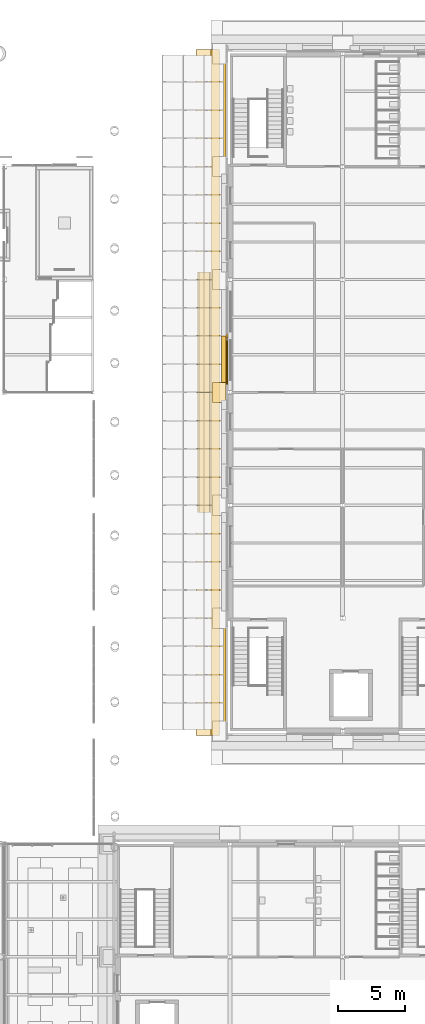
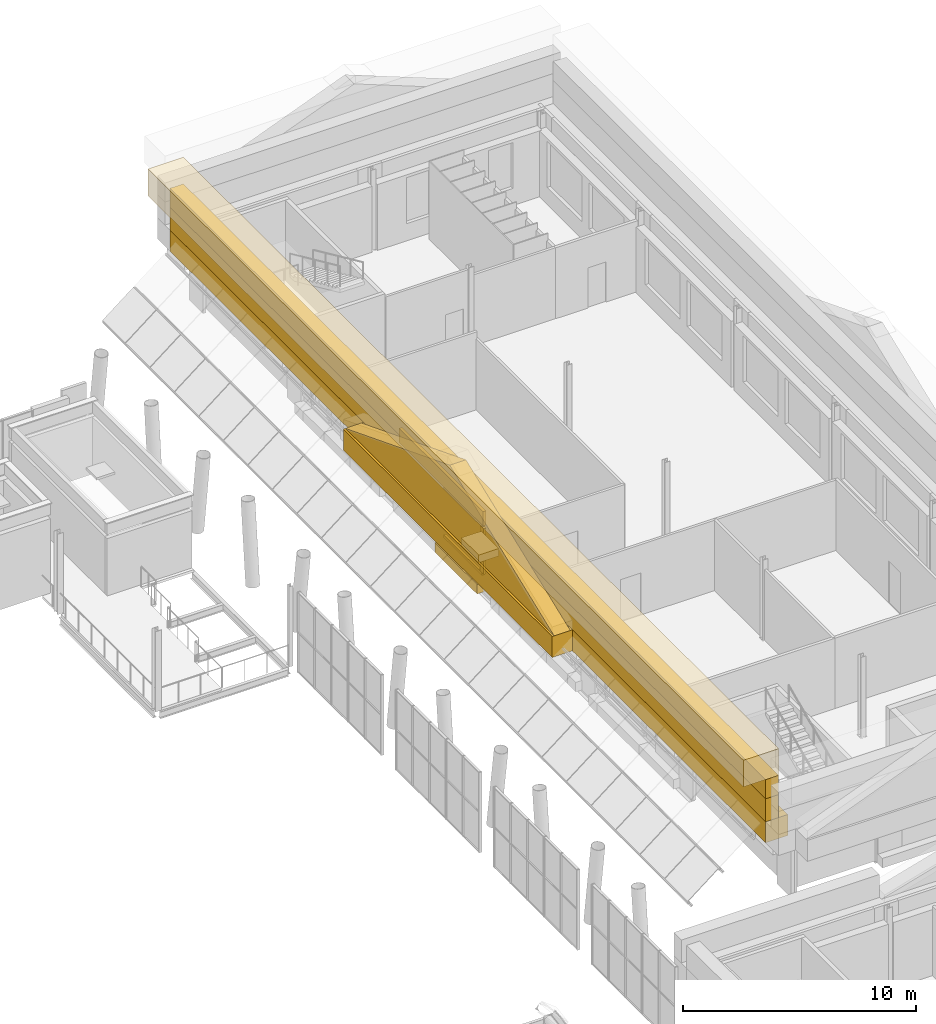
# One storey, part 68 of 76: 12 coverings.
"""IFC4 building model written with IfcOpenShell, lengths in metres."""

from ifc_helpers import new_model, si_unit, direction, frame, origin, origin_2d, place, context, subcontext, project, spatial, polyline, rectangle, outline, extrude, material, layer, layer_set, type_object, element, save


model = new_model("IFC4")

# Units and contexts
model_context = context("Model", 3, precision=1e-05, world=origin(), true_north=direction((0.0, 1.0)))
body_context = subcontext(model_context, "Body", "Model", "MODEL_VIEW")
ifc_project = project(units=[si_unit("LENGTHUNIT", "METRE"), si_unit("AREAUNIT", "SQUARE_METRE"), si_unit("VOLUMEUNIT", "CUBIC_METRE"), si_unit("PLANEANGLEUNIT", "RADIAN"), si_unit("MASSUNIT", "GRAM", prefix="KILO")], contexts=[model_context])

# Site, building, storey
site_placement = place(None, origin())
site = spatial("IfcSite", under=ifc_project, at=site_placement, CompositionType="ELEMENT")
building_placement = place(site_placement, origin())
building = spatial("IfcBuilding", under=site, at=building_placement, Name="Sava Quay Ferry Terminal", CompositionType="ELEMENT")
storey_placement = place(building_placement, frame((0.0, 0.0, 10.800048828125)))
storey = spatial("IfcBuildingStorey", under=building, at=storey_placement, Name="L02", CompositionType="ELEMENT", Elevation=10.800048828125)

# Coverings
ifc_material_1 = material(Name="Limestone Mutalj", Category="masonry")
ifc_layer_1 = layer(ifc_material_1, 1.75)
ifc_layer_set_1 = layer_set([ifc_layer_1], Name="Limestone Mutalj")
covering_type_1 = type_object("IfcCoveringType", Name="Attic crown cornice 1400", PredefinedType="MOLDING", material=ifc_layer_set_1)
covering_1_placement = place(storey_placement, frame((90.77490234375, 84.0, 6.39990234375), z_axis=(0.0, 0.0, 1.0), x_axis=(1.0, 0.0, 0.0)))
element("IfcCovering", 1, at=covering_1_placement, inside=storey, type_object=covering_type_1, Name="Attic crown cornice", PredefinedType="MOLDING", context=body_context, shape_type="SweptSolid", body=[
    extrude(rectangle(XDim=1.75, YDim=51.02001953125, at=origin_2d()), origin(), (0.0, 0.0, 1.0), 1.39990234375),
])
ifc_material_2 = material(Name="Limestone Mutalj", Category="masonry")
ifc_layer_2 = layer(ifc_material_2, 0.64990234375)
ifc_layer_set_2 = layer_set([ifc_layer_2], Name="Limestone Mutalj")
covering_type_2 = type_object("IfcCoveringType", Name="Attic frieze 1000", PredefinedType="CLADDING", material=ifc_layer_set_2)
covering_2_placement = place(storey_placement, frame((91.324951171875, 84.0, 5.39990234375), z_axis=(0.0, 0.0, 1.0), x_axis=(1.0, 0.0, 0.0)))
element("IfcCovering", 2, at=covering_2_placement, inside=storey, type_object=covering_type_2, Name="Attic frieze", PredefinedType="CLADDING", context=body_context, shape_type="SweptSolid", body=[
    extrude(rectangle(XDim=0.64990234375, YDim=51.02001953125, at=origin_2d()), origin(), (0.0, 0.0, 1.0), 1.0),
])
ifc_material_3 = material(Name="Limestone Mutalj", Category="masonry")
ifc_layer_3 = layer(ifc_material_3, 0.64990234375)
ifc_layer_set_3 = layer_set([ifc_layer_3], Name="Limestone Mutalj")
covering_type_3 = type_object("IfcCoveringType", Name="Attic parapet 650", PredefinedType="MOLDING", material=ifc_layer_set_3)
covering_3_placement = place(storey_placement, frame((91.324951171875, 84.0, 4.2001953125), z_axis=(0.0, 0.0, 1.0), x_axis=(1.0, 0.0, 0.0)))
element("IfcCovering", 3, at=covering_3_placement, inside=storey, type_object=covering_type_3, Name="Attic parapet O W", PredefinedType="MOLDING", context=body_context, shape_type="SweptSolid", body=[
    extrude(rectangle(XDim=0.64990234375, YDim=51.02001953125, at=origin_2d()), origin(), (0.0, 0.0, 1.0), 1.199951171875),
])
ifc_material_4 = material(Name="Limestone Mutalj", Category="masonry")
ifc_layer_4 = layer(ifc_material_4, 1.10009765625)
ifc_layer_set_4 = layer_set([ifc_layer_4], Name="Limestone Mutalj")
covering_type_4 = type_object("IfcCoveringType", Name="Eaves cornice 1100", PredefinedType="MOLDING", material=ifc_layer_set_4)
covering_4_placement = place(storey_placement, frame((91.550048828125, 84.0, 3.099853515625), z_axis=(0.0, 0.0, 1.0), x_axis=(1.0, 0.0, 0.0)))
element("IfcCovering", 4, at=covering_4_placement, inside=storey, type_object=covering_type_4, Name="Eaves cornice O W", PredefinedType="MOLDING", context=body_context, shape_type="SweptSolid", body=[
    extrude(rectangle(XDim=1.10009765625, YDim=51.02001953125, at=origin_2d()), origin(), (0.0, 0.0, 1.0), 1.10009765625),
])
ifc_material_5 = material(Name="Limestone Mutalj", Category="masonry")
ifc_layer_5 = layer(ifc_material_5, 0.14990234375)
ifc_layer_set_5 = layer_set([ifc_layer_5], Name="Limestone Mutalj")
covering_type_5 = type_object("IfcCoveringType", Name="Limestone string course 150", PredefinedType="CLADDING", material=ifc_layer_set_5)
covering_5_placement = place(storey_placement, frame((0.0, 0.0, 3.449951171875)))
element("IfcCovering", 5, at=covering_5_placement, inside=storey, type_object=covering_type_5, Name="String course O-W", PredefinedType="CLADDING", context=body_context, shape_type="SweptSolid", body=[
    extrude(outline(polyline([(92.25, 84.60009765625), (92.25, 91.800048828125), (92.10009765625, 91.800048828125), (92.10009765625, 84.60009765625), (92.25, 84.60009765625)])), origin(), (0.0, 0.0, 1.0), 0.75),
])
ifc_material_6 = material(Name="Limestone Mutalj", Category="masonry")
ifc_layer_6 = layer(ifc_material_6, 1.0)
ifc_layer_set_6 = layer_set([ifc_layer_6], Name="Limestone Mutalj")
covering_type_6 = type_object("IfcCoveringType", Name="Pilaster capital block 1500", PredefinedType="MOLDING", material=ifc_layer_set_6)
covering_6_placement = place(storey_placement, frame((91.60009765625, 84.0, 2.699951171875), z_axis=(0.0, 0.0, 1.0), x_axis=(1.0, 0.0, 0.0)))
element("IfcCovering", 6, at=covering_6_placement, inside=storey, type_object=covering_type_6, Name="Giant-order capital", PredefinedType="MOLDING", context=body_context, shape_type="SweptSolid", body=[
    extrude(rectangle(XDim=1.0, YDim=1.5, at=origin_2d()), origin(), (0.0, 0.0, 1.0), 0.39990234375),
])
ifc_material_7 = material(Name="Limestone Mutalj", Category="masonry")
ifc_layer_7 = layer(ifc_material_7, 0.1201171875)
ifc_layer_set_7 = layer_set([ifc_layer_7], Name="Limestone Mutalj")
covering_type_7 = type_object("IfcCoveringType", Name="Plain window architrave 150", PredefinedType="MOLDING", material=ifc_layer_set_7)
covering_7_placement = place(storey_placement, frame((92.18994140625, 84.75, 0.89990234375), z_axis=(0.0, 0.0, 1.0), x_axis=(1.0, 0.0, 0.0)))
element("IfcCovering", 7, at=covering_7_placement, inside=storey, type_object=covering_type_7, Name="Plain window architrave", PredefinedType="MOLDING", context=body_context, shape_type="SweptSolid", body=[
    extrude(rectangle(XDim=0.1201171875, YDim=0.300048828125, at=origin_2d()), origin(), (0.0, 0.0, 1.0), 2.39990234375),
])
for number, where, z_axis, x_axis, name in (
    (8, (92.18994140625, 86.39990234375, 3.300048828125), (0.0, 0.0, 1.0), (1.0, 0.0, 0.0), "Plain window architrave"),
    (9, (92.18994140625, 86.39990234375, 0.75), (0.0, 0.0, 1.0), (1.0, 0.0, 0.0), "Plain window architrave"),
):
    element("IfcCovering", number, at=place(storey_placement, frame(where, z_axis=z_axis, x_axis=x_axis)), inside=storey, type_object=covering_type_7, Name=name, PredefinedType="MOLDING", context=body_context, shape_type="SweptSolid", body=[
        extrude(rectangle(XDim=0.1201171875, YDim=3.300048828125, at=origin_2d()), origin(), (0.0, 0.0, 1.0), 0.14990234375),
    ])
ifc_material_8 = material(Name="Limestone Mutalj", Category="masonry")
ifc_layer_8 = layer(ifc_material_8, 1.0)
ifc_layer_set_8 = layer_set([ifc_layer_8], Name="Limestone Mutalj")
covering_type_8 = type_object("IfcCoveringType", Name="Portico entablature 1000", PredefinedType="MOLDING", material=ifc_layer_set_8)
covering_8_placement = place(storey_placement, frame((90.5, 84.0, 3.099853515625), z_axis=(0.0, 0.0, 1.0), x_axis=(1.0, 0.0, 0.0)))
element("IfcCovering", 10, at=covering_8_placement, inside=storey, type_object=covering_type_8, Name="Portico entablature", PredefinedType="MOLDING", context=body_context, shape_type="SweptSolid", body=[
    extrude(rectangle(XDim=1.0, YDim=17.89990234375, at=origin_2d()), origin(), (0.0, 0.0, 1.0), 1.10009765625),
])
ifc_material_9 = material(Name="Limestone Mutalj", Category="masonry")
ifc_layer_9 = layer(ifc_material_9, 0.800048828125)
ifc_layer_set_9 = layer_set([ifc_layer_9], Name="Limestone Mutalj")
covering_type_9 = type_object("IfcCoveringType", Name="Portico pediment tympanum 800", PredefinedType="CLADDING", material=ifc_layer_set_9)
covering_9_placement = place(storey_placement, frame((90.89990234375, 75.050048828125, 4.199951171875), z_axis=(1.0, 0.0, 0.0), x_axis=(0.0, 1.0, 0.0)))
element("IfcCovering", 11, at=covering_9_placement, inside=storey, type_object=covering_type_9, Name="Portico pediment", PredefinedType="CLADDING", context=body_context, shape_type="SweptSolid", body=[
    extrude(outline(polyline([(0.0, 0.0), (17.89990234375, 0.0), (8.949951171875, 3.5), (0.0, 0.0)])), origin(), (0.0, 0.0, -1.0), 0.800048828125),
])
ifc_material_10 = material(Name="Limestone Mutalj", Category="masonry")
ifc_layer_10 = layer(ifc_material_10, 0.449951171875)
ifc_layer_set_10 = layer_set([ifc_layer_10], Name="Limestone Mutalj")
covering_type_10 = type_object("IfcCoveringType", Name="Projecting string course 500", PredefinedType="MOLDING", material=ifc_layer_set_10)
covering_10_placement = place(storey_placement, frame((92.02490234375, 86.39990234375, 0.0), z_axis=(0.0, 0.0, 1.0), x_axis=(1.0, 0.0, 0.0)))
element("IfcCovering", 12, at=covering_10_placement, inside=storey, type_object=covering_type_10, Name="Projecting string course", PredefinedType="MOLDING", context=body_context, shape_type="SweptSolid", body=[
    extrude(rectangle(XDim=0.449951171875, YDim=3.60009765625, at=origin_2d()), origin(), (0.0, 0.0, 1.0), 0.5),
])

save(model, "model.ifc")
